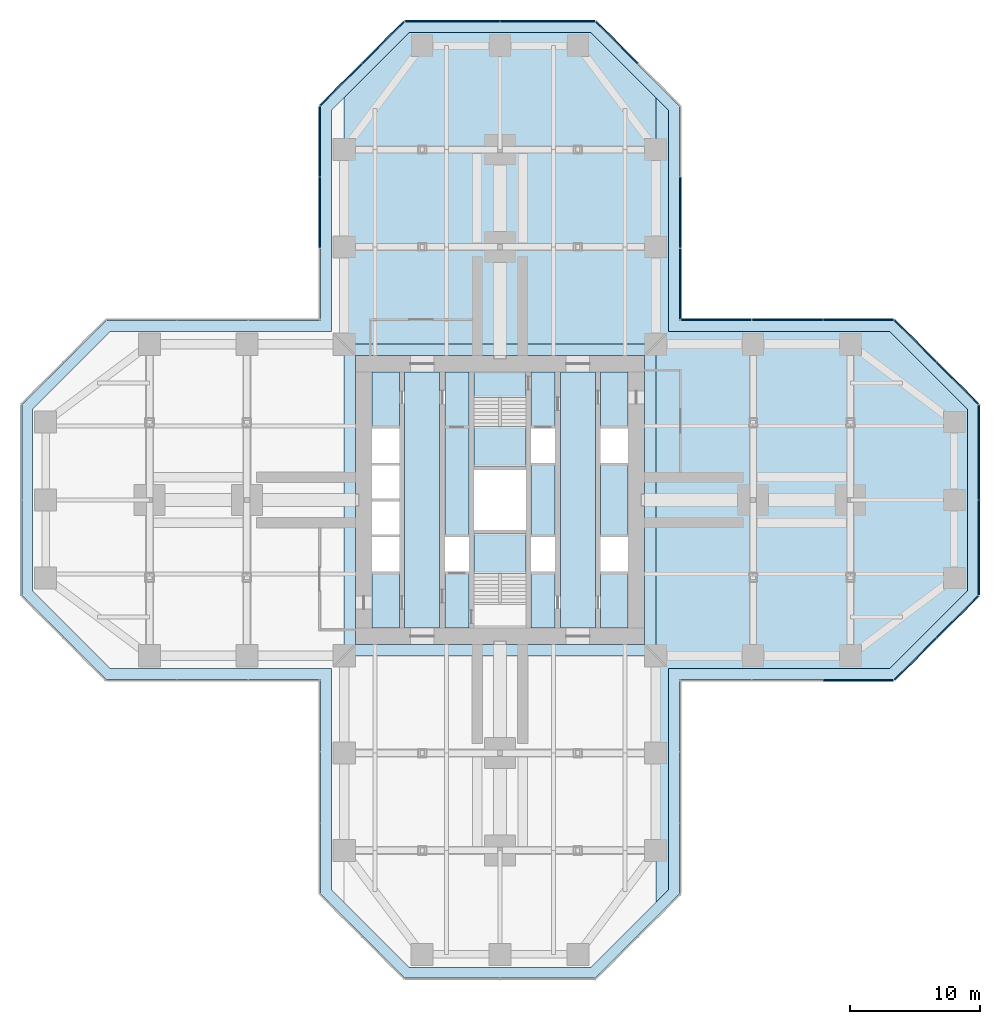
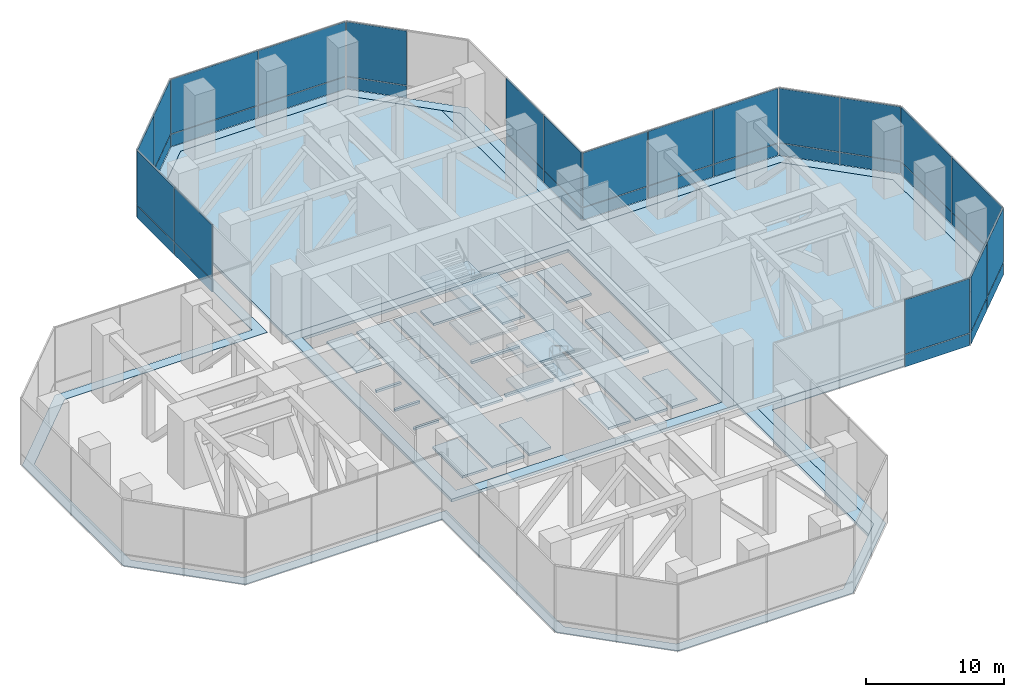
# One storey, part 13 of 19: 39 plates, 10 slabs, 12 elements without a shape of their own.
"""IFC4 building model written with IfcOpenShell, lengths in metres."""

from ifc_helpers import new_model, si_unit, direction, frame, origin, origin_2d, place, context, subcontext, project, spatial, polyline, rectangle, outline, extrude, material, layer, layer_set, type_object, element, aggregate, save


model = new_model("IFC4")

# Units and contexts
model_context = context("Model", 3, precision=1e-05, world=origin(), true_north=direction((0.0, 1.0)))
body_context = subcontext(model_context, "Body", "Model", "MODEL_VIEW")
ifc_project = project(units=[si_unit("LENGTHUNIT", "METRE"), si_unit("AREAUNIT", "SQUARE_METRE"), si_unit("VOLUMEUNIT", "CUBIC_METRE"), si_unit("PLANEANGLEUNIT", "RADIAN"), si_unit("MASSUNIT", "GRAM", prefix="KILO")], contexts=[model_context])

# Site, building, storey
site_placement = place(None, origin())
site = spatial("IfcSite", under=ifc_project, at=site_placement, CompositionType="ELEMENT")
building_placement = place(site_placement, origin())
building = spatial("IfcBuilding", under=site, at=building_placement, Name="Mizan Broadcast Tower", CompositionType="ELEMENT")
storey_placement = place(building_placement, frame((0.0, 0.0, 37.5)))
storey = spatial("IfcBuildingStorey", under=building, at=storey_placement, Name="L06", CompositionType="ELEMENT", Elevation=37.5)

# Plate
ifc_material_1 = material(Name="Aluminium grating", Category="aluminium")
ifc_layer_1 = layer(ifc_material_1, 0.050048828125)
ifc_layer_set_1 = layer_set([ifc_layer_1], Name="Aluminium grating")
plate_type_1 = type_object("IfcPlateType", Name="CAVITY GRATING", PredefinedType="USERDEFINED", material=ifc_layer_set_1)
plate_1_placement = place(storey_placement, frame((0.0, 0.0, -0.050048828125)))
element("IfcPlate", 1, at=plate_1_placement, inside=storey, type_object=plate_type_1, Name="Cavity grating L06", ObjectType="GRATING", PredefinedType="USERDEFINED", context=body_context, shape_type="SweptSolid", body=[
    extrude(outline(polyline([(7.339599609375, -36.820068359375), (13.820068359375, -30.339599609375), (13.820068359375, -13.820068359375), (30.339599609375, -13.820068359375), (36.820068359375, -7.339599609375), (36.820068359375, 7.339599609375), (30.339599609375, 13.820068359375), (13.820068359375, 13.820068359375), (13.820068359375, 30.339599609375), (7.339599609375, 36.820068359375), (-7.339599609375, 36.820068359375), (-13.820068359375, 30.339599609375), (-13.820068359375, 13.820068359375), (-30.339599609375, 13.820068359375), (-36.820068359375, 7.339599609375), (-36.820068359375, -7.339599609375), (-30.339599609375, -13.820068359375), (-13.820068359375, -13.820068359375), (-13.820068359375, -30.339599609375), (-7.339599609375, -36.820068359375), (7.339599609375, -36.820068359375)]), holes=[polyline([(36.0, -7.0), (30.0, -13.0), (13.0, -13.0), (13.0, -30.0), (7.0, -36.0), (-7.0, -36.0), (-13.0, -30.0), (-13.0, -13.0), (-30.0, -13.0), (-36.0, -7.0), (-36.0, 7.0), (-30.0, 13.0), (-13.0, 13.0), (-13.0, 30.0), (-7.0, 36.0), (7.0, 36.0), (13.0, 30.0), (13.0, 13.0), (30.0, 13.0), (36.0, 7.0), (36.0, -7.0)])]), origin(), (0.0, 0.0, 1.0), 0.050048828125),
])

# Slab
ifc_material_2 = material(Name="Concrete C40/50", Category="concrete")
ifc_layer_2 = layer(ifc_material_2, 0.199951171875)
ifc_layer_set_2 = layer_set([ifc_layer_2], Name="Concrete C40/50")
slab_type_1 = type_object("IfcSlabType", Name="CORE FLOOR 200", PredefinedType="FLOOR", material=ifc_layer_set_2)
slab_1_placement = place(storey_placement, frame((0.0, 0.0, -0.199951171875)))
element("IfcSlab", 2, at=slab_1_placement, inside=storey, type_object=slab_type_1, Name="Core floor L06", PredefinedType="FLOOR", context=body_context, shape_type="SweptSolid", body=[
    extrude(outline(polyline([(-9.85009765625, -9.85009765625), (-7.75, -9.85009765625), (-7.75, -5.5), (-9.85009765625, -5.5), (-9.85009765625, -9.85009765625)])), origin(), (0.0, 0.0, 1.0), 0.199951171875),
    extrude(outline(polyline([(-9.85009765625, -2.85009765625), (-7.75, -2.85009765625), (-7.75, -2.64990234375), (-9.85009765625, -2.64990234375), (-9.85009765625, -2.85009765625)])), origin(), (0.0, 0.0, 1.0), 0.199951171875),
    extrude(outline(polyline([(-9.85009765625, -0.10009765625), (-7.75, -0.10009765625), (-7.75, 0.10009765625), (-9.85009765625, 0.10009765625), (-9.85009765625, -0.10009765625)])), origin(), (0.0, 0.0, 1.0), 0.199951171875),
    extrude(outline(polyline([(-9.85009765625, 2.64990234375), (-7.75, 2.64990234375), (-7.75, 2.85009765625), (-9.85009765625, 2.85009765625), (-9.85009765625, 2.64990234375)])), origin(), (0.0, 0.0, 1.0), 0.199951171875),
    extrude(outline(polyline([(-9.85009765625, 5.5), (-7.75, 5.5), (-7.75, 9.85009765625), (-9.85009765625, 9.85009765625), (-9.85009765625, 5.5)])), origin(), (0.0, 0.0, 1.0), 0.199951171875),
    extrude(outline(polyline([(-4.64990234375, 9.85009765625), (-7.35009765625, 9.85009765625), (-7.35009765625, -9.85009765625), (-4.64990234375, -9.85009765625), (-4.64990234375, 9.85009765625)])), origin(), (0.0, 0.0, 1.0), 0.199951171875),
    extrude(outline(polyline([(-4.25, -5.5), (-4.25, -9.85009765625), (-2.39990234375, -9.85009765625), (-2.39990234375, -5.5), (-4.25, -5.5)])), origin(), (0.0, 0.0, 1.0), 0.199951171875),
    extrude(outline(polyline([(-4.25, -2.85009765625), (-2.39990234375, -2.85009765625), (-2.39990234375, 9.85009765625), (-4.25, 9.85009765625), (-4.25, -2.85009765625)])), origin(), (0.0, 0.0, 1.0), 0.199951171875),
    extrude(outline(polyline([(2.0, -2.324951171875), (-2.0, -2.324951171875), (-2.0, -2.574951171875), (2.0, -2.574951171875), (2.0, -2.324951171875)])), origin(), (0.0, 0.0, 1.0), 0.199951171875),
    extrude(outline(polyline([(2.0, 2.574951171875), (-2.0, 2.574951171875), (-2.0, 2.324951171875), (2.0, 2.324951171875), (2.0, 2.574951171875)])), origin(), (0.0, 0.0, 1.0), 0.199951171875),
    extrude(outline(polyline([(4.25, -9.85009765625), (4.25, -5.5), (2.39990234375, -5.5), (2.39990234375, -9.85009765625), (4.25, -9.85009765625)])), origin(), (0.0, 0.0, 1.0), 0.199951171875),
    extrude(outline(polyline([(4.25, -2.85009765625), (4.25, 2.85009765625), (2.39990234375, 2.85009765625), (2.39990234375, -2.85009765625), (4.25, -2.85009765625)])), origin(), (0.0, 0.0, 1.0), 0.199951171875),
    extrude(outline(polyline([(4.25, 5.5), (4.25, 9.85009765625), (2.39990234375, 9.85009765625), (2.39990234375, 5.5), (4.25, 5.5)])), origin(), (0.0, 0.0, 1.0), 0.199951171875),
    extrude(outline(polyline([(4.64990234375, 9.85009765625), (4.64990234375, -9.85009765625), (7.35009765625, -9.85009765625), (7.35009765625, 9.85009765625), (4.64990234375, 9.85009765625)])), origin(), (0.0, 0.0, 1.0), 0.199951171875),
    extrude(outline(polyline([(9.85009765625, -9.85009765625), (9.85009765625, -5.5), (7.75, -5.5), (7.75, -9.85009765625), (9.85009765625, -9.85009765625)])), origin(), (0.0, 0.0, 1.0), 0.199951171875),
    extrude(outline(polyline([(7.75, 2.85009765625), (7.75, -2.85009765625), (9.85009765625, -2.85009765625), (9.85009765625, 2.85009765625), (7.75, 2.85009765625)])), origin(), (0.0, 0.0, 1.0), 0.199951171875),
    extrude(outline(polyline([(9.85009765625, 5.5), (9.85009765625, 9.85009765625), (7.75, 9.85009765625), (7.75, 5.5), (9.85009765625, 5.5)])), origin(), (0.0, 0.0, 1.0), 0.199951171875),
])

# Curtain wall, plates
ifc_material_3 = material(Name="Aluminium framed glazing", Category="aluminium")
curtain_wall_type = type_object("IfcCurtainWallType", Name="PLANT LOUVRE", PredefinedType="USERDEFINED", material=ifc_material_3)
curtain_wall_1_placement = place(storey_placement, origin())
curtain_wall_1 = element("IfcCurtainWall", 3, at=curtain_wall_1_placement, inside=storey, type_object=curtain_wall_type, Name="Plant louvre L06 E side", ObjectType="PLANT LOUVRE", PredefinedType="USERDEFINED")
ifc_material_4 = material(Name="Extruded aluminium weather louvre, pale anodised", Category="aluminium")
ifc_layer_3 = layer(ifc_material_4, 0.10009765625)
ifc_layer_set_3 = layer_set([ifc_layer_3], Name="Extruded aluminium weather louvre, pale anodised")
plate_type_2 = type_object("IfcPlateType", Name="PLANT LOUVRE PANEL", PredefinedType="USERDEFINED", material=ifc_layer_set_3)
plate_2_placement = place(storey_placement, frame((27.6123046875, -13.89990234375, 0.0), z_axis=(0.0, 0.0, 1.0), x_axis=(1.0, 0.0, 0.0)))
plate_2 = element("IfcPlate", 4, at=plate_2_placement, type_object=plate_type_2, Name="Plant louvre L06 E side panel 3.1", ObjectType="LOUVRE", PredefinedType="USERDEFINED", context=body_context, shape_type="SweptSolid", body=[
    extrude(rectangle(XDim=5.40087890625, YDim=0.10009765625, at=origin_2d()), origin(), (0.0, 0.0, 1.0), 1.070068359375),
])
plate_3_placement = place(storey_placement, frame((27.6123046875, -13.89990234375, 1.1298828125), z_axis=(0.0, 0.0, 1.0), x_axis=(1.0, 0.0, 0.0)))
plate_3 = element("IfcPlate", 5, at=plate_3_placement, type_object=plate_type_2, Name="Plant louvre L06 E side panel 3.2", ObjectType="LOUVRE", PredefinedType="USERDEFINED", context=body_context, shape_type="SweptSolid", body=[
    extrude(rectangle(XDim=5.40087890625, YDim=0.10009765625, at=origin_2d()), origin(), (0.0, 0.0, 1.0), 4.81005859375),
])
aggregate(curtain_wall_1, [plate_2, plate_3])

curtain_wall_2_placement = place(storey_placement, origin())
curtain_wall_2 = element("IfcCurtainWall", 6, at=curtain_wall_2_placement, inside=storey, type_object=curtain_wall_type, Name="Plant louvre L06 E chamfer", ObjectType="PLANT LOUVRE", PredefinedType="USERDEFINED")
plate_4_placement = place(storey_placement, frame((32.01513671875, -12.257568359375, 0.0), z_axis=(0.0, 0.0, 1.0), x_axis=(0.707106781187, 0.707106781187, 0.0)))
plate_4 = element("IfcPlate", 7, at=plate_4_placement, type_object=plate_type_2, Name="Plant louvre L06 E chamfer panel 1.1", ObjectType="LOUVRE", PredefinedType="USERDEFINED", context=body_context, shape_type="SweptSolid", body=[
    extrude(rectangle(XDim=4.525390625, YDim=0.10009765625, at=origin_2d()), origin(), (0.0, 0.0, 1.0), 1.070068359375),
])
plate_5_placement = place(storey_placement, frame((32.01513671875, -12.257568359375, 1.1298828125), z_axis=(0.0, 0.0, 1.0), x_axis=(0.707106781187, 0.707106781187, 0.0)))
plate_5 = element("IfcPlate", 8, at=plate_5_placement, type_object=plate_type_2, Name="Plant louvre L06 E chamfer panel 1.2", ObjectType="LOUVRE", PredefinedType="USERDEFINED", context=body_context, shape_type="SweptSolid", body=[
    extrude(rectangle(XDim=4.525390625, YDim=0.10009765625, at=origin_2d()), origin(), (0.0, 0.0, 1.0), 4.81005859375),
])
plate_6_placement = place(storey_placement, frame((35.257568359375, -9.01513671875, 0.0), z_axis=(0.0, 0.0, 1.0), x_axis=(0.707106781187, 0.707106781187, 0.0)))
plate_6 = element("IfcPlate", 9, at=plate_6_placement, type_object=plate_type_2, Name="Plant louvre L06 E chamfer panel 2.1", ObjectType="LOUVRE", PredefinedType="USERDEFINED", context=body_context, shape_type="SweptSolid", body=[
    extrude(rectangle(XDim=4.525390625, YDim=0.10009765625, at=origin_2d()), origin(), (0.0, 0.0, 1.0), 1.070068359375),
])
plate_7_placement = place(storey_placement, frame((35.257568359375, -9.01513671875, 1.1298828125), z_axis=(0.0, 0.0, 1.0), x_axis=(0.707106781187, 0.707106781187, 0.0)))
plate_7 = element("IfcPlate", 10, at=plate_7_placement, type_object=plate_type_2, Name="Plant louvre L06 E chamfer panel 2.2", ObjectType="LOUVRE", PredefinedType="USERDEFINED", context=body_context, shape_type="SweptSolid", body=[
    extrude(rectangle(XDim=4.525390625, YDim=0.10009765625, at=origin_2d()), origin(), (0.0, 0.0, 1.0), 4.81005859375),
])
aggregate(curtain_wall_2, [plate_4, plate_5, plate_6, plate_7])

curtain_wall_3_placement = place(storey_placement, origin())
curtain_wall_3 = element("IfcCurtainWall", 11, at=curtain_wall_3_placement, inside=storey, type_object=curtain_wall_type, Name="Plant louvre L06 E end", ObjectType="PLANT LOUVRE", PredefinedType="USERDEFINED")
plate_8_placement = place(storey_placement, frame((36.89990234375, -3.67138671875, 0.0), z_axis=(0.0, 0.0, 1.0), x_axis=(0.0, 1.0, 0.0)))
plate_8 = element("IfcPlate", 12, at=plate_8_placement, type_object=plate_type_2, Name="Plant louvre L06 E end panel 1.1", ObjectType="LOUVRE", PredefinedType="USERDEFINED", context=body_context, shape_type="SweptSolid", body=[
    extrude(rectangle(XDim=7.28271484375, YDim=0.10009765625, at=origin_2d()), origin(), (0.0, 0.0, 1.0), 1.070068359375),
])
plate_9_placement = place(storey_placement, frame((36.89990234375, -3.67138671875, 1.1298828125), z_axis=(0.0, 0.0, 1.0), x_axis=(0.0, 1.0, 0.0)))
plate_9 = element("IfcPlate", 13, at=plate_9_placement, type_object=plate_type_2, Name="Plant louvre L06 E end panel 1.2", ObjectType="LOUVRE", PredefinedType="USERDEFINED", context=body_context, shape_type="SweptSolid", body=[
    extrude(rectangle(XDim=7.28271484375, YDim=0.10009765625, at=origin_2d()), origin(), (0.0, 0.0, 1.0), 4.81005859375),
])
plate_10_placement = place(storey_placement, frame((36.89990234375, 3.67138671875, 0.0), z_axis=(0.0, 0.0, 1.0), x_axis=(0.0, 1.0, 0.0)))
plate_10 = element("IfcPlate", 14, at=plate_10_placement, type_object=plate_type_2, Name="Plant louvre L06 E end panel 2.1", ObjectType="LOUVRE", PredefinedType="USERDEFINED", context=body_context, shape_type="SweptSolid", body=[
    extrude(rectangle(XDim=7.28271484375, YDim=0.10009765625, at=origin_2d()), origin(), (0.0, 0.0, 1.0), 1.070068359375),
])
plate_11_placement = place(storey_placement, frame((36.89990234375, 3.67138671875, 1.1298828125), z_axis=(0.0, 0.0, 1.0), x_axis=(0.0, 1.0, 0.0)))
plate_11 = element("IfcPlate", 15, at=plate_11_placement, type_object=plate_type_2, Name="Plant louvre L06 E end panel 2.2", ObjectType="LOUVRE", PredefinedType="USERDEFINED", context=body_context, shape_type="SweptSolid", body=[
    extrude(rectangle(XDim=7.28271484375, YDim=0.10009765625, at=origin_2d()), origin(), (0.0, 0.0, 1.0), 4.81005859375),
])
aggregate(curtain_wall_3, [plate_8, plate_9, plate_10, plate_11])

curtain_wall_4_placement = place(storey_placement, origin())
curtain_wall_4 = element("IfcCurtainWall", 16, at=curtain_wall_4_placement, inside=storey, type_object=curtain_wall_type, Name="Plant louvre L06 E chamfer", ObjectType="PLANT LOUVRE", PredefinedType="USERDEFINED")
plate_12_placement = place(storey_placement, frame((35.257568359375, 9.01513671875, 0.0), z_axis=(0.0, 0.0, 1.0), x_axis=(-0.707106781187, 0.707106781187, 0.0)))
plate_12 = element("IfcPlate", 17, at=plate_12_placement, type_object=plate_type_2, Name="Plant louvre L06 E chamfer panel 1.1", ObjectType="LOUVRE", PredefinedType="USERDEFINED", context=body_context, shape_type="SweptSolid", body=[
    extrude(rectangle(XDim=4.525390625, YDim=0.10009765625, at=origin_2d()), origin(), (0.0, 0.0, 1.0), 1.070068359375),
])
plate_13_placement = place(storey_placement, frame((35.257568359375, 9.01513671875, 1.1298828125), z_axis=(0.0, 0.0, 1.0), x_axis=(-0.707106781187, 0.707106781187, 0.0)))
plate_13 = element("IfcPlate", 18, at=plate_13_placement, type_object=plate_type_2, Name="Plant louvre L06 E chamfer panel 1.2", ObjectType="LOUVRE", PredefinedType="USERDEFINED", context=body_context, shape_type="SweptSolid", body=[
    extrude(rectangle(XDim=4.525390625, YDim=0.10009765625, at=origin_2d()), origin(), (0.0, 0.0, 1.0), 4.81005859375),
])
plate_14_placement = place(storey_placement, frame((32.01513671875, 12.257568359375, 0.0), z_axis=(0.0, 0.0, 1.0), x_axis=(-0.707106781187, 0.707106781187, 0.0)))
plate_14 = element("IfcPlate", 19, at=plate_14_placement, type_object=plate_type_2, Name="Plant louvre L06 E chamfer panel 2.1", ObjectType="LOUVRE", PredefinedType="USERDEFINED", context=body_context, shape_type="SweptSolid", body=[
    extrude(rectangle(XDim=4.525390625, YDim=0.10009765625, at=origin_2d()), origin(), (0.0, 0.0, 1.0), 1.070068359375),
])
plate_15_placement = place(storey_placement, frame((32.01513671875, 12.257568359375, 1.1298828125), z_axis=(0.0, 0.0, 1.0), x_axis=(-0.707106781187, 0.707106781187, 0.0)))
plate_15 = element("IfcPlate", 20, at=plate_15_placement, type_object=plate_type_2, Name="Plant louvre L06 E chamfer panel 2.2", ObjectType="LOUVRE", PredefinedType="USERDEFINED", context=body_context, shape_type="SweptSolid", body=[
    extrude(rectangle(XDim=4.525390625, YDim=0.10009765625, at=origin_2d()), origin(), (0.0, 0.0, 1.0), 4.81005859375),
])
aggregate(curtain_wall_4, [plate_12, plate_13, plate_14, plate_15])

curtain_wall_5_placement = place(storey_placement, origin())
curtain_wall_5 = element("IfcCurtainWall", 21, at=curtain_wall_5_placement, inside=storey, type_object=curtain_wall_type, Name="Plant louvre L06 E side", ObjectType="PLANT LOUVRE", PredefinedType="USERDEFINED")
plate_16_placement = place(storey_placement, frame((27.6123046875, 13.89990234375, 0.0), z_axis=(0.0, 0.0, 1.0), x_axis=(-1.0, 0.0, 0.0)))
plate_16 = element("IfcPlate", 22, at=plate_16_placement, type_object=plate_type_2, Name="Plant louvre L06 E side panel 1.1", ObjectType="LOUVRE", PredefinedType="USERDEFINED", context=body_context, shape_type="SweptSolid", body=[
    extrude(rectangle(XDim=5.40087890625, YDim=0.10009765625, at=origin_2d()), origin(), (0.0, 0.0, 1.0), 1.070068359375),
])
plate_17_placement = place(storey_placement, frame((27.6123046875, 13.89990234375, 1.1298828125), z_axis=(0.0, 0.0, 1.0), x_axis=(-1.0, 0.0, 0.0)))
plate_17 = element("IfcPlate", 23, at=plate_17_placement, type_object=plate_type_2, Name="Plant louvre L06 E side panel 1.2", ObjectType="LOUVRE", PredefinedType="USERDEFINED", context=body_context, shape_type="SweptSolid", body=[
    extrude(rectangle(XDim=5.40087890625, YDim=0.10009765625, at=origin_2d()), origin(), (0.0, 0.0, 1.0), 4.81005859375),
])
plate_18_placement = place(storey_placement, frame((22.136474609375, 13.89990234375, 0.0), z_axis=(0.0, 0.0, 1.0), x_axis=(-1.0, 0.0, 0.0)))
plate_18 = element("IfcPlate", 24, at=plate_18_placement, type_object=plate_type_2, Name="Plant louvre L06 E side panel 2.1", ObjectType="LOUVRE", PredefinedType="USERDEFINED", context=body_context, shape_type="SweptSolid", body=[
    extrude(rectangle(XDim=5.430908203125, YDim=0.10009765625, at=origin_2d()), origin(), (0.0, 0.0, 1.0), 1.070068359375),
])
plate_19_placement = place(storey_placement, frame((22.136474609375, 13.89990234375, 1.1298828125), z_axis=(0.0, 0.0, 1.0), x_axis=(-1.0, 0.0, 0.0)))
plate_19 = element("IfcPlate", 25, at=plate_19_placement, type_object=plate_type_2, Name="Plant louvre L06 E side panel 2.2", ObjectType="LOUVRE", PredefinedType="USERDEFINED", context=body_context, shape_type="SweptSolid", body=[
    extrude(rectangle(XDim=5.430908203125, YDim=0.10009765625, at=origin_2d()), origin(), (0.0, 0.0, 1.0), 4.81005859375),
])
plate_20_placement = place(storey_placement, frame((16.660400390625, 13.89990234375, 0.0), z_axis=(0.0, 0.0, 1.0), x_axis=(-1.0, 0.0, 0.0)))
plate_20 = element("IfcPlate", 26, at=plate_20_placement, type_object=plate_type_2, Name="Plant louvre L06 E side panel 3.1", ObjectType="LOUVRE", PredefinedType="USERDEFINED", context=body_context, shape_type="SweptSolid", body=[
    extrude(rectangle(XDim=5.40087890625, YDim=0.10009765625, at=origin_2d()), origin(), (0.0, 0.0, 1.0), 1.070068359375),
])
plate_21_placement = place(storey_placement, frame((16.660400390625, 13.89990234375, 1.1298828125), z_axis=(0.0, 0.0, 1.0), x_axis=(-1.0, 0.0, 0.0)))
plate_21 = element("IfcPlate", 27, at=plate_21_placement, type_object=plate_type_2, Name="Plant louvre L06 E side panel 3.2", ObjectType="LOUVRE", PredefinedType="USERDEFINED", context=body_context, shape_type="SweptSolid", body=[
    extrude(rectangle(XDim=5.40087890625, YDim=0.10009765625, at=origin_2d()), origin(), (0.0, 0.0, 1.0), 4.81005859375),
])
aggregate(curtain_wall_5, [plate_16, plate_17, plate_18, plate_19, plate_20, plate_21])

curtain_wall_6_placement = place(storey_placement, origin())
curtain_wall_6 = element("IfcCurtainWall", 28, at=curtain_wall_6_placement, inside=storey, type_object=curtain_wall_type, Name="Plant louvre L06 N side", ObjectType="PLANT LOUVRE", PredefinedType="USERDEFINED")
plate_22_placement = place(storey_placement, frame((13.89990234375, 16.660400390625, 0.0), z_axis=(0.0, 0.0, 1.0), x_axis=(0.0, 1.0, 0.0)))
plate_22 = element("IfcPlate", 29, at=plate_22_placement, type_object=plate_type_2, Name="Plant louvre L06 N side panel 1.1", ObjectType="LOUVRE", PredefinedType="USERDEFINED", context=body_context, shape_type="SweptSolid", body=[
    extrude(rectangle(XDim=5.40087890625, YDim=0.10009765625, at=origin_2d()), origin(), (0.0, 0.0, 1.0), 1.070068359375),
])
plate_23_placement = place(storey_placement, frame((13.89990234375, 16.660400390625, 1.1298828125), z_axis=(0.0, 0.0, 1.0), x_axis=(0.0, 1.0, 0.0)))
plate_23 = element("IfcPlate", 30, at=plate_23_placement, type_object=plate_type_2, Name="Plant louvre L06 N side panel 1.2", ObjectType="LOUVRE", PredefinedType="USERDEFINED", context=body_context, shape_type="SweptSolid", body=[
    extrude(rectangle(XDim=5.40087890625, YDim=0.10009765625, at=origin_2d()), origin(), (0.0, 0.0, 1.0), 4.81005859375),
])
plate_24_placement = place(storey_placement, frame((13.89990234375, 22.136474609375, 0.0), z_axis=(0.0, 0.0, 1.0), x_axis=(0.0, 1.0, 0.0)))
plate_24 = element("IfcPlate", 31, at=plate_24_placement, type_object=plate_type_2, Name="Plant louvre L06 N side panel 2.1", ObjectType="LOUVRE", PredefinedType="USERDEFINED", context=body_context, shape_type="SweptSolid", body=[
    extrude(rectangle(XDim=5.430908203125, YDim=0.10009765625, at=origin_2d()), origin(), (0.0, 0.0, 1.0), 1.070068359375),
])
plate_25_placement = place(storey_placement, frame((13.89990234375, 22.136474609375, 1.1298828125), z_axis=(0.0, 0.0, 1.0), x_axis=(0.0, 1.0, 0.0)))
plate_25 = element("IfcPlate", 32, at=plate_25_placement, type_object=plate_type_2, Name="Plant louvre L06 N side panel 2.2", ObjectType="LOUVRE", PredefinedType="USERDEFINED", context=body_context, shape_type="SweptSolid", body=[
    extrude(rectangle(XDim=5.430908203125, YDim=0.10009765625, at=origin_2d()), origin(), (0.0, 0.0, 1.0), 4.81005859375),
])
aggregate(curtain_wall_6, [plate_22, plate_23, plate_24, plate_25])

curtain_wall_7_placement = place(storey_placement, origin())
curtain_wall_7 = element("IfcCurtainWall", 33, at=curtain_wall_7_placement, inside=storey, type_object=curtain_wall_type, Name="Plant louvre L06 N chamfer", ObjectType="PLANT LOUVRE", PredefinedType="USERDEFINED")
plate_26_placement = place(storey_placement, frame((9.01513671875, 35.257568359375, 0.0), z_axis=(0.0, 0.0, 1.0), x_axis=(-0.707106781187, 0.707106781187, 0.0)))
plate_26 = element("IfcPlate", 34, at=plate_26_placement, type_object=plate_type_2, Name="Plant louvre L06 N chamfer panel 2.1", ObjectType="LOUVRE", PredefinedType="USERDEFINED", context=body_context, shape_type="SweptSolid", body=[
    extrude(rectangle(XDim=4.525390625, YDim=0.10009765625, at=origin_2d()), origin(), (0.0, 0.0, 1.0), 1.070068359375),
])
plate_27_placement = place(storey_placement, frame((9.01513671875, 35.257568359375, 1.1298828125), z_axis=(0.0, 0.0, 1.0), x_axis=(-0.707106781187, 0.707106781187, 0.0)))
plate_27 = element("IfcPlate", 35, at=plate_27_placement, type_object=plate_type_2, Name="Plant louvre L06 N chamfer panel 2.2", ObjectType="LOUVRE", PredefinedType="USERDEFINED", context=body_context, shape_type="SweptSolid", body=[
    extrude(rectangle(XDim=4.525390625, YDim=0.10009765625, at=origin_2d()), origin(), (0.0, 0.0, 1.0), 4.81005859375),
])
aggregate(curtain_wall_7, [plate_26, plate_27])

curtain_wall_8_placement = place(storey_placement, origin())
curtain_wall_8 = element("IfcCurtainWall", 36, at=curtain_wall_8_placement, inside=storey, type_object=curtain_wall_type, Name="Plant louvre L06 N end", ObjectType="PLANT LOUVRE", PredefinedType="USERDEFINED")
plate_28_placement = place(storey_placement, frame((3.67138671875, 36.89990234375, 0.0), z_axis=(0.0, 0.0, 1.0), x_axis=(-1.0, 0.0, 0.0)))
plate_28 = element("IfcPlate", 37, at=plate_28_placement, type_object=plate_type_2, Name="Plant louvre L06 N end panel 1.1", ObjectType="LOUVRE", PredefinedType="USERDEFINED", context=body_context, shape_type="SweptSolid", body=[
    extrude(rectangle(XDim=7.28271484375, YDim=0.10009765625, at=origin_2d()), origin(), (0.0, 0.0, 1.0), 1.070068359375),
])
plate_29_placement = place(storey_placement, frame((3.67138671875, 36.89990234375, 1.1298828125), z_axis=(0.0, 0.0, 1.0), x_axis=(-1.0, 0.0, 0.0)))
plate_29 = element("IfcPlate", 38, at=plate_29_placement, type_object=plate_type_2, Name="Plant louvre L06 N end panel 1.2", ObjectType="LOUVRE", PredefinedType="USERDEFINED", context=body_context, shape_type="SweptSolid", body=[
    extrude(rectangle(XDim=7.28271484375, YDim=0.10009765625, at=origin_2d()), origin(), (0.0, 0.0, 1.0), 4.81005859375),
])
plate_30_placement = place(storey_placement, frame((-3.67138671875, 36.89990234375, 0.0), z_axis=(0.0, 0.0, 1.0), x_axis=(-1.0, 0.0, 0.0)))
plate_30 = element("IfcPlate", 39, at=plate_30_placement, type_object=plate_type_2, Name="Plant louvre L06 N end panel 2.1", ObjectType="LOUVRE", PredefinedType="USERDEFINED", context=body_context, shape_type="SweptSolid", body=[
    extrude(rectangle(XDim=7.28271484375, YDim=0.10009765625, at=origin_2d()), origin(), (0.0, 0.0, 1.0), 1.070068359375),
])
plate_31_placement = place(storey_placement, frame((-3.67138671875, 36.89990234375, 1.1298828125), z_axis=(0.0, 0.0, 1.0), x_axis=(-1.0, 0.0, 0.0)))
plate_31 = element("IfcPlate", 40, at=plate_31_placement, type_object=plate_type_2, Name="Plant louvre L06 N end panel 2.2", ObjectType="LOUVRE", PredefinedType="USERDEFINED", context=body_context, shape_type="SweptSolid", body=[
    extrude(rectangle(XDim=7.28271484375, YDim=0.10009765625, at=origin_2d()), origin(), (0.0, 0.0, 1.0), 4.81005859375),
])
aggregate(curtain_wall_8, [plate_28, plate_29, plate_30, plate_31])

curtain_wall_9_placement = place(storey_placement, origin())
curtain_wall_9 = element("IfcCurtainWall", 41, at=curtain_wall_9_placement, inside=storey, type_object=curtain_wall_type, Name="Plant louvre L06 N chamfer", ObjectType="PLANT LOUVRE", PredefinedType="USERDEFINED")
plate_32_placement = place(storey_placement, frame((-9.01513671875, 35.257568359375, 0.0), z_axis=(0.0, 0.0, 1.0), x_axis=(-0.707106781187, -0.707106781187, 0.0)))
plate_32 = element("IfcPlate", 42, at=plate_32_placement, type_object=plate_type_2, Name="Plant louvre L06 N chamfer panel 1.1", ObjectType="LOUVRE", PredefinedType="USERDEFINED", context=body_context, shape_type="SweptSolid", body=[
    extrude(rectangle(XDim=4.525390625, YDim=0.10009765625, at=origin_2d()), origin(), (0.0, 0.0, 1.0), 1.070068359375),
])
plate_33_placement = place(storey_placement, frame((-9.01513671875, 35.257568359375, 1.1298828125), z_axis=(0.0, 0.0, 1.0), x_axis=(-0.707106781187, -0.707106781187, 0.0)))
plate_33 = element("IfcPlate", 43, at=plate_33_placement, type_object=plate_type_2, Name="Plant louvre L06 N chamfer panel 1.2", ObjectType="LOUVRE", PredefinedType="USERDEFINED", context=body_context, shape_type="SweptSolid", body=[
    extrude(rectangle(XDim=4.525390625, YDim=0.10009765625, at=origin_2d()), origin(), (0.0, 0.0, 1.0), 4.81005859375),
])
plate_34_placement = place(storey_placement, frame((-12.257568359375, 32.01513671875, 0.0), z_axis=(0.0, 0.0, 1.0), x_axis=(-0.707106781187, -0.707106781187, 0.0)))
plate_34 = element("IfcPlate", 44, at=plate_34_placement, type_object=plate_type_2, Name="Plant louvre L06 N chamfer panel 2.1", ObjectType="LOUVRE", PredefinedType="USERDEFINED", context=body_context, shape_type="SweptSolid", body=[
    extrude(rectangle(XDim=4.525390625, YDim=0.10009765625, at=origin_2d()), origin(), (0.0, 0.0, 1.0), 1.070068359375),
])
plate_35_placement = place(storey_placement, frame((-12.257568359375, 32.01513671875, 1.1298828125), z_axis=(0.0, 0.0, 1.0), x_axis=(-0.707106781187, -0.707106781187, 0.0)))
plate_35 = element("IfcPlate", 45, at=plate_35_placement, type_object=plate_type_2, Name="Plant louvre L06 N chamfer panel 2.2", ObjectType="LOUVRE", PredefinedType="USERDEFINED", context=body_context, shape_type="SweptSolid", body=[
    extrude(rectangle(XDim=4.525390625, YDim=0.10009765625, at=origin_2d()), origin(), (0.0, 0.0, 1.0), 4.81005859375),
])
aggregate(curtain_wall_9, [plate_32, plate_33, plate_34, plate_35])

curtain_wall_10_placement = place(storey_placement, origin())
curtain_wall_10 = element("IfcCurtainWall", 46, at=curtain_wall_10_placement, inside=storey, type_object=curtain_wall_type, Name="Plant louvre L06 N side", ObjectType="PLANT LOUVRE", PredefinedType="USERDEFINED")
plate_36_placement = place(storey_placement, frame((-13.89990234375, 27.6123046875, 0.0), z_axis=(0.0, 0.0, 1.0), x_axis=(0.0, -1.0, 0.0)))
plate_36 = element("IfcPlate", 47, at=plate_36_placement, type_object=plate_type_2, Name="Plant louvre L06 N side panel 1.1", ObjectType="LOUVRE", PredefinedType="USERDEFINED", context=body_context, shape_type="SweptSolid", body=[
    extrude(rectangle(XDim=5.40087890625, YDim=0.10009765625, at=origin_2d()), origin(), (0.0, 0.0, 1.0), 1.070068359375),
])
plate_37_placement = place(storey_placement, frame((-13.89990234375, 27.6123046875, 1.1298828125), z_axis=(0.0, 0.0, 1.0), x_axis=(0.0, -1.0, 0.0)))
plate_37 = element("IfcPlate", 48, at=plate_37_placement, type_object=plate_type_2, Name="Plant louvre L06 N side panel 1.2", ObjectType="LOUVRE", PredefinedType="USERDEFINED", context=body_context, shape_type="SweptSolid", body=[
    extrude(rectangle(XDim=5.40087890625, YDim=0.10009765625, at=origin_2d()), origin(), (0.0, 0.0, 1.0), 4.81005859375),
])
plate_38_placement = place(storey_placement, frame((-13.89990234375, 22.136474609375, 0.0), z_axis=(0.0, 0.0, 1.0), x_axis=(0.0, -1.0, 0.0)))
plate_38 = element("IfcPlate", 49, at=plate_38_placement, type_object=plate_type_2, Name="Plant louvre L06 N side panel 2.1", ObjectType="LOUVRE", PredefinedType="USERDEFINED", context=body_context, shape_type="SweptSolid", body=[
    extrude(rectangle(XDim=5.430908203125, YDim=0.10009765625, at=origin_2d()), origin(), (0.0, 0.0, 1.0), 1.070068359375),
])
plate_39_placement = place(storey_placement, frame((-13.89990234375, 22.136474609375, 1.1298828125), z_axis=(0.0, 0.0, 1.0), x_axis=(0.0, -1.0, 0.0)))
plate_39 = element("IfcPlate", 50, at=plate_39_placement, type_object=plate_type_2, Name="Plant louvre L06 N side panel 2.2", ObjectType="LOUVRE", PredefinedType="USERDEFINED", context=body_context, shape_type="SweptSolid", body=[
    extrude(rectangle(XDim=5.430908203125, YDim=0.10009765625, at=origin_2d()), origin(), (0.0, 0.0, 1.0), 4.81005859375),
])
aggregate(curtain_wall_10, [plate_36, plate_37, plate_38, plate_39])

# Slabs
ifc_material_5 = material(Name="Concrete C40/50", Category="concrete")
ifc_layer_4 = layer(ifc_material_5, 0.25)
ifc_layer_set_4 = layer_set([ifc_layer_4], Name="Concrete C40/50")
slab_type_2 = type_object("IfcSlabType", Name="RC FLAT SLAB 250", PredefinedType="FLOOR", material=ifc_layer_set_4)
slab_2_placement = place(storey_placement, frame((0.0, 0.0, -0.25)))
element("IfcSlab", 51, at=slab_2_placement, inside=storey, type_object=slab_type_2, Name="Floor slab L06 centre", PredefinedType="FLOOR", context=body_context, shape_type="SweptSolid", body=[
    extrude(outline(polyline([(-12.0, -12.0), (12.0, -12.0), (12.0, 12.0), (-12.0, 12.0), (-12.0, -12.0)]), holes=[polyline([(-11.14990234375, 11.14990234375), (11.14990234375, 11.14990234375), (11.14990234375, -11.14990234375), (-11.14990234375, -11.14990234375), (-11.14990234375, 11.14990234375)])]), origin(), (0.0, 0.0, 1.0), 0.25),
])
slab_3_placement = place(storey_placement, frame((0.0, 0.0, -0.25)))
element("IfcSlab", 52, at=slab_3_placement, inside=storey, type_object=slab_type_2, Name="Floor slab L06 east arm", PredefinedType="FLOOR", context=body_context, shape_type="SweptSolid", body=[
    extrude(outline(polyline([(12.0, -31.0), (13.0, -30.0), (13.0, -13.0), (30.0, -13.0), (36.0, -7.0), (36.0, 7.0), (30.0, 13.0), (13.0, 13.0), (13.0, 30.0), (12.0, 31.0), (12.0, -31.0)])), origin(), (0.0, 0.0, 1.0), 0.25),
])
slab_4_placement = place(storey_placement, frame((0.0, 0.0, -0.25)))
element("IfcSlab", 53, at=slab_4_placement, inside=storey, type_object=slab_type_2, Name="Floor slab L06 north arm", PredefinedType="FLOOR", context=body_context, shape_type="SweptSolid", body=[
    extrude(outline(polyline([(-7.0, 36.0), (-12.0, 31.0), (-12.0, 12.0), (12.0, 12.0), (12.0, 31.0), (7.0, 36.0), (-7.0, 36.0)])), origin(), (0.0, 0.0, 1.0), 0.25),
])

# Stair, slabs
ifc_material_6 = material(Name="Concrete C40/50", Category="concrete")
stair_type = type_object("IfcStairType", Name="EXIT STAIR", PredefinedType="HALF_TURN_STAIR", material=ifc_material_6)
stair_1_placement = place(storey_placement, origin())
stair_1 = element("IfcStair", 54, at=stair_1_placement, inside=storey, type_object=stair_type, Name="Stair A L06", PredefinedType="HALF_TURN_STAIR")
ifc_material_7 = material(Name="Concrete C40/50", Category="concrete")
ifc_layer_5 = layer(ifc_material_7, 0.199951171875)
ifc_layer_set_5 = layer_set([ifc_layer_5], Name="Concrete C40/50")
slab_type_3 = type_object("IfcSlabType", Name="STAIR LANDING 200", PredefinedType="LANDING", material=ifc_layer_set_5)
slab_5_placement = place(storey_placement, frame((0.0, 0.0, 1.300048828125)))
slab_5 = element("IfcSlab", 55, at=slab_5_placement, type_object=slab_type_3, Name="A landing 2", PredefinedType="LANDING", context=body_context, shape_type="SweptSolid", body=[
    extrude(outline(polyline([(-2.0, -5.659912109375), (-2.0, -2.574951171875), (2.0, -2.574951171875), (2.0, -5.659912109375), (-2.0, -5.659912109375)])), origin(), (0.0, 0.0, 1.0), 0.199951171875),
])
slab_6_placement = place(storey_placement, frame((0.0, 0.0, 4.300048828125)))
slab_6 = element("IfcSlab", 56, at=slab_6_placement, type_object=slab_type_3, Name="A landing 4", PredefinedType="LANDING", context=body_context, shape_type="SweptSolid", body=[
    extrude(outline(polyline([(-2.0, -5.659912109375), (-2.0, -2.574951171875), (2.0, -2.574951171875), (2.0, -5.659912109375), (-2.0, -5.659912109375)])), origin(), (0.0, 0.0, 1.0), 0.199951171875),
])
aggregate(stair_1, [slab_5, slab_6])

stair_2_placement = place(storey_placement, origin())
stair_2 = element("IfcStair", 57, at=stair_2_placement, inside=storey, type_object=stair_type, Name="Stair B L06", PredefinedType="HALF_TURN_STAIR")
slab_7_placement = place(storey_placement, frame((0.0, 0.0, -0.199951171875)))
slab_7 = element("IfcSlab", 58, at=slab_7_placement, type_object=slab_type_3, Name="B landing 1", PredefinedType="LANDING", context=body_context, shape_type="SweptSolid", body=[
    extrude(outline(polyline([(2.0, 9.85009765625), (2.0, 7.89990234375), (-2.0, 7.89990234375), (-2.0, 9.85009765625), (2.0, 9.85009765625)])), origin(), (0.0, 0.0, 1.0), 0.199951171875),
])
slab_8_placement = place(storey_placement, frame((0.0, 0.0, 1.300048828125)))
slab_8 = element("IfcSlab", 59, at=slab_8_placement, type_object=slab_type_3, Name="B landing 2", PredefinedType="LANDING", context=body_context, shape_type="SweptSolid", body=[
    extrude(outline(polyline([(2.0, 5.659912109375), (2.0, 2.574951171875), (-2.0, 2.574951171875), (-2.0, 5.659912109375), (2.0, 5.659912109375)])), origin(), (0.0, 0.0, 1.0), 0.199951171875),
])
slab_9_placement = place(storey_placement, frame((0.0, 0.0, 2.800048828125)))
slab_9 = element("IfcSlab", 60, at=slab_9_placement, type_object=slab_type_3, Name="B landing 3", PredefinedType="LANDING", context=body_context, shape_type="SweptSolid", body=[
    extrude(outline(polyline([(2.0, 9.85009765625), (2.0, 7.89990234375), (-2.0, 7.89990234375), (-2.0, 9.85009765625), (2.0, 9.85009765625)])), origin(), (0.0, 0.0, 1.0), 0.199951171875),
])
slab_10_placement = place(storey_placement, frame((0.0, 0.0, 4.300048828125)))
slab_10 = element("IfcSlab", 61, at=slab_10_placement, type_object=slab_type_3, Name="B landing 4", PredefinedType="LANDING", context=body_context, shape_type="SweptSolid", body=[
    extrude(outline(polyline([(2.0, 5.659912109375), (2.0, 2.574951171875), (-2.0, 2.574951171875), (-2.0, 5.659912109375), (2.0, 5.659912109375)])), origin(), (0.0, 0.0, 1.0), 0.199951171875),
])
aggregate(stair_2, [slab_7, slab_8, slab_9, slab_10])

save(model, "model.ifc")
